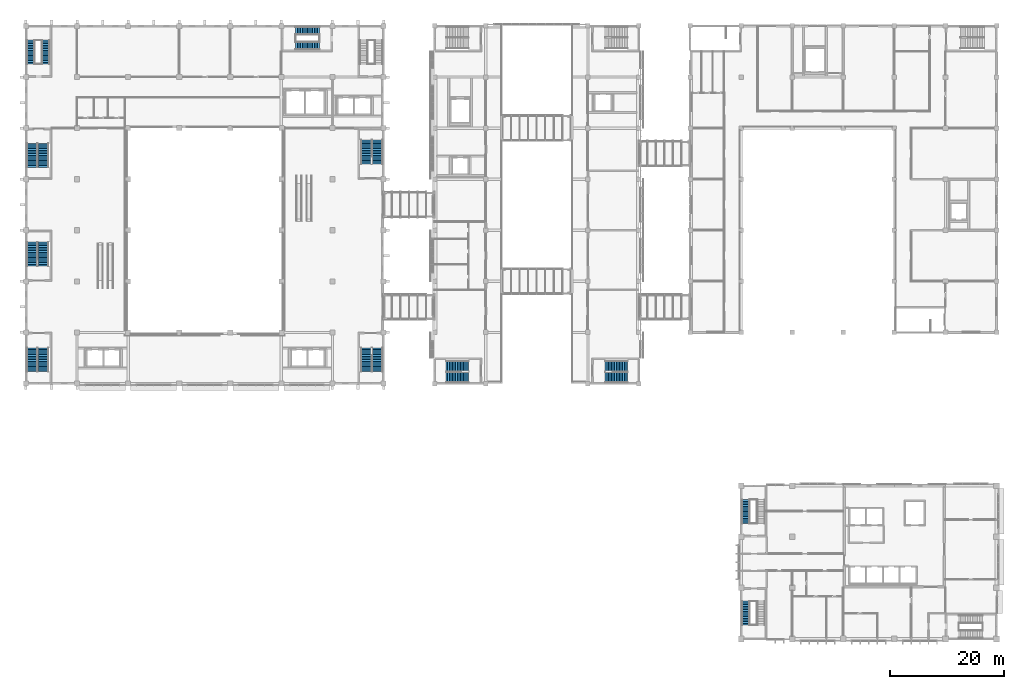
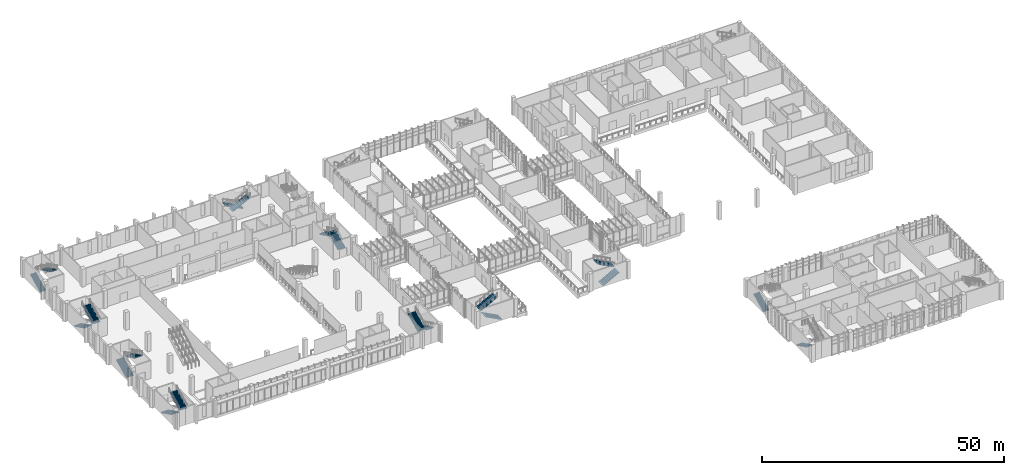
# One storey, part 69 of 88: 20 stair flights, 11 elements without a shape of their own.
"""IFC4 building model written with IfcOpenShell, lengths in metres."""

from ifc_helpers import new_model, si_unit, direction, frame, origin, place, context, subcontext, project, spatial, polyline, outline, extrude, material, type_object, element, aggregate, save


model = new_model("IFC4")

# Units and contexts
model_context = context("Model", 3, precision=1e-05, world=origin(), true_north=direction((0.0, 1.0)))
body_context = subcontext(model_context, "Body", "Model", "MODEL_VIEW")
ifc_project = project(units=[si_unit("LENGTHUNIT", "METRE"), si_unit("AREAUNIT", "SQUARE_METRE"), si_unit("VOLUMEUNIT", "CUBIC_METRE"), si_unit("PLANEANGLEUNIT", "RADIAN"), si_unit("MASSUNIT", "GRAM", prefix="KILO")], contexts=[model_context])

# Site, building, storey
site_placement = place(None, origin())
site = spatial("IfcSite", under=ifc_project, at=site_placement, CompositionType="ELEMENT")
building_placement = place(site_placement, origin())
building = spatial("IfcBuilding", under=site, at=building_placement, Name="Guidao Yard Department Store", CompositionType="ELEMENT")
storey_placement = place(building_placement, frame((0.0, 0.0, 6.0)))
storey = spatial("IfcBuildingStorey", under=building, at=storey_placement, Name="L01", CompositionType="ELEMENT", Elevation=6.0)

# Stair, stair flights
ifc_material_1 = material(Name="Concrete C35", Category="concrete")
stair_type_1 = type_object("IfcStairType", Name="Stair half-turn two-flight 1400 wide 4.5 m rise", PredefinedType="HALF_TURN_STAIR", material=ifc_material_1)
stair_1_placement = place(storey_placement, origin())
stair_1 = element("IfcStair", 1, at=stair_1_placement, inside=storey, type_object=stair_type_1, Name="Stair A5 L01 to L02", PredefinedType="HALF_TURN_STAIR")
ifc_material_2 = material(Name="Concrete C35", Category="concrete")
stair_flight_type_1 = type_object("IfcStairFlightType", Name="Stair flight RC straight 1400 wide 15 risers x 300 going C35", PredefinedType="STRAIGHT", material=ifc_material_2)
stair_flight_1_placement = place(storey_placement, frame((0.824951171875, 101.300048828125, 0.0), z_axis=(0.0, 0.0, 1.0), x_axis=(0.0, 1.0, 0.0)))
stair_flight_1 = element("IfcStairFlight", 2, at=stair_flight_1_placement, type_object=stair_flight_type_1, Name="SA5-L01 flight 1", NumberOfRisers=15, NumberOfTreads=14, PredefinedType="STRAIGHT", RiserHeight=0.15, TreadLength=0.3, context=body_context, shape_type="SweptSolid", body=[
    extrude(outline(polyline([(0.0, 0.0), (0.0, 0.14990234375), (0.300048828125, 0.14990234375), (0.300048828125, 0.300048828125), (0.60009765625, 0.300048828125), (0.60009765625, 0.449951171875), (0.89990234375, 0.449951171875), (0.89990234375, 0.60009765625), (1.199951171875, 0.60009765625), (1.199951171875, 0.75), (1.5, 0.75), (1.5, 0.89990234375), (1.800048828125, 0.89990234375), (1.800048828125, 1.050048828125), (2.10009765625, 1.050048828125), (2.10009765625, 1.199951171875), (2.39990234375, 1.199951171875), (2.39990234375, 1.35009765625), (2.699951171875, 1.35009765625), (2.699951171875, 1.5), (3.0, 1.5), (3.0, 1.64990234375), (3.300048828125, 1.64990234375), (3.300048828125, 1.800048828125), (3.60009765625, 1.800048828125), (3.60009765625, 1.949951171875), (3.89990234375, 1.949951171875), (3.89990234375, 2.10009765625), (4.199951171875, 2.10009765625), (4.199951171875, 2.25), (4.199951171875, 1.932373046875), (0.335205078125, 0.0), (0.0, 0.0)])), frame((0.0, 0.699951171875, 0.0), z_axis=(0.0, -1.0, 0.0), x_axis=(1.0, 0.0, 0.0)), (0.0, 0.0, 1.0), 1.39990234375),
])
stair_flight_2_placement = place(storey_placement, frame((3.5, 105.5, 2.25), z_axis=(0.0, 0.0, 1.0), x_axis=(0.0, -1.0, 0.0)))
stair_flight_2 = element("IfcStairFlight", 3, at=stair_flight_2_placement, type_object=stair_flight_type_1, Name="SA5-L01 flight 2", NumberOfRisers=15, NumberOfTreads=14, PredefinedType="STRAIGHT", RiserHeight=0.15, TreadLength=0.3, context=body_context, shape_type="SweptSolid", body=[
    extrude(outline(polyline([(0.0, 0.0), (0.0, 0.14990234375), (0.300048828125, 0.14990234375), (0.300048828125, 0.300048828125), (0.60009765625, 0.300048828125), (0.60009765625, 0.449951171875), (0.89990234375, 0.449951171875), (0.89990234375, 0.60009765625), (1.199951171875, 0.60009765625), (1.199951171875, 0.75), (1.5, 0.75), (1.5, 0.89990234375), (1.800048828125, 0.89990234375), (1.800048828125, 1.050048828125), (2.10009765625, 1.050048828125), (2.10009765625, 1.199951171875), (2.39990234375, 1.199951171875), (2.39990234375, 1.35009765625), (2.699951171875, 1.35009765625), (2.699951171875, 1.5), (3.0, 1.5), (3.0, 1.64990234375), (3.300048828125, 1.64990234375), (3.300048828125, 1.800048828125), (3.60009765625, 1.800048828125), (3.60009765625, 1.949951171875), (3.89990234375, 1.949951171875), (3.89990234375, 2.10009765625), (4.199951171875, 2.10009765625), (4.199951171875, 2.25), (4.199951171875, 1.932373046875), (0.335205078125, 0.0), (0.0, 0.0)])), frame((0.0, 0.699951171875, 0.0), z_axis=(0.0, -1.0, 0.0), x_axis=(1.0, 0.0, 0.0)), (0.0, 0.0, 1.0), 1.39990234375),
])
aggregate(stair_1, [stair_flight_1, stair_flight_2])

stair_2_placement = place(storey_placement, origin())
stair_2 = element("IfcStair", 4, at=stair_2_placement, inside=storey, type_object=stair_type_1, Name="Stair A7 L01 to L02", PredefinedType="HALF_TURN_STAIR")
stair_flight_3_placement = place(storey_placement, frame((51.699951171875, 107.175048828125, 0.0), z_axis=(0.0, 0.0, 1.0), x_axis=(-1.0, 0.0, 0.0)))
stair_flight_3 = element("IfcStairFlight", 5, at=stair_flight_3_placement, type_object=stair_flight_type_1, Name="SA7-L01 flight 1", NumberOfRisers=15, NumberOfTreads=14, PredefinedType="STRAIGHT", RiserHeight=0.15, TreadLength=0.3, context=body_context, shape_type="SweptSolid", body=[
    extrude(outline(polyline([(0.0, 0.0), (0.0, 0.14990234375), (0.300048828125, 0.14990234375), (0.300048828125, 0.300048828125), (0.60009765625, 0.300048828125), (0.60009765625, 0.449951171875), (0.89990234375, 0.449951171875), (0.89990234375, 0.60009765625), (1.199951171875, 0.60009765625), (1.199951171875, 0.75), (1.5, 0.75), (1.5, 0.89990234375), (1.800048828125, 0.89990234375), (1.800048828125, 1.050048828125), (2.10009765625, 1.050048828125), (2.10009765625, 1.199951171875), (2.39990234375, 1.199951171875), (2.39990234375, 1.35009765625), (2.699951171875, 1.35009765625), (2.699951171875, 1.5), (3.0, 1.5), (3.0, 1.64990234375), (3.300048828125, 1.64990234375), (3.300048828125, 1.800048828125), (3.60009765625, 1.800048828125), (3.60009765625, 1.949951171875), (3.89990234375, 1.949951171875), (3.89990234375, 2.10009765625), (4.199951171875, 2.10009765625), (4.199951171875, 2.25), (4.199951171875, 1.932373046875), (0.335205078125, 0.0), (0.0, 0.0)])), frame((0.0, 0.699951171875, 0.0), z_axis=(0.0, -1.0, 0.0), x_axis=(1.0, 0.0, 0.0)), (0.0, 0.0, 1.0), 1.39990234375),
])
stair_flight_4_placement = place(storey_placement, frame((47.5, 104.5, 2.25), z_axis=(0.0, 0.0, 1.0), x_axis=(1.0, 0.0, 0.0)))
stair_flight_4 = element("IfcStairFlight", 6, at=stair_flight_4_placement, type_object=stair_flight_type_1, Name="SA7-L01 flight 2", NumberOfRisers=15, NumberOfTreads=14, PredefinedType="STRAIGHT", RiserHeight=0.15, TreadLength=0.3, context=body_context, shape_type="SweptSolid", body=[
    extrude(outline(polyline([(0.0, 0.0), (0.0, 0.14990234375), (0.300048828125, 0.14990234375), (0.300048828125, 0.300048828125), (0.60009765625, 0.300048828125), (0.60009765625, 0.449951171875), (0.89990234375, 0.449951171875), (0.89990234375, 0.60009765625), (1.199951171875, 0.60009765625), (1.199951171875, 0.75), (1.5, 0.75), (1.5, 0.89990234375), (1.800048828125, 0.89990234375), (1.800048828125, 1.050048828125), (2.10009765625, 1.050048828125), (2.10009765625, 1.199951171875), (2.39990234375, 1.199951171875), (2.39990234375, 1.35009765625), (2.699951171875, 1.35009765625), (2.699951171875, 1.5), (3.0, 1.5), (3.0, 1.64990234375), (3.300048828125, 1.64990234375), (3.300048828125, 1.800048828125), (3.60009765625, 1.800048828125), (3.60009765625, 1.949951171875), (3.89990234375, 1.949951171875), (3.89990234375, 2.10009765625), (4.199951171875, 2.10009765625), (4.199951171875, 2.25), (4.199951171875, 1.932373046875), (0.335205078125, 0.0), (0.0, 0.0)])), frame((0.0, 0.699951171875, 0.0), z_axis=(0.0, -1.0, 0.0), x_axis=(1.0, 0.0, 0.0)), (0.0, 0.0, 1.0), 1.39990234375),
])
aggregate(stair_2, [stair_flight_3, stair_flight_4])

# Stair, stair flight
stair_3_placement = place(storey_placement, origin())
stair_3 = element("IfcStair", 7, at=stair_3_placement, inside=storey, type_object=stair_type_1, Name="Stair O1 L01 to L02", PredefinedType="HALF_TURN_STAIR")
stair_flight_5_placement = place(storey_placement, frame((126.824951171875, 6.64990234375, 0.0), z_axis=(0.0, 0.0, 1.0), x_axis=(0.0, -1.0, 0.0)))
stair_flight_5 = element("IfcStairFlight", 8, at=stair_flight_5_placement, type_object=stair_flight_type_1, Name="SO1-L01 flight 1", NumberOfRisers=15, NumberOfTreads=14, PredefinedType="STRAIGHT", RiserHeight=0.15, TreadLength=0.3, context=body_context, shape_type="SweptSolid", body=[
    extrude(outline(polyline([(0.0, 0.0), (0.0, 0.14990234375), (0.300048828125, 0.14990234375), (0.300048828125, 0.300048828125), (0.60009765625, 0.300048828125), (0.60009765625, 0.449951171875), (0.89990234375, 0.449951171875), (0.89990234375, 0.60009765625), (1.199951171875, 0.60009765625), (1.199951171875, 0.75), (1.5, 0.75), (1.5, 0.89990234375), (1.800048828125, 0.89990234375), (1.800048828125, 1.050048828125), (2.10009765625, 1.050048828125), (2.10009765625, 1.199951171875), (2.39990234375, 1.199951171875), (2.39990234375, 1.35009765625), (2.699951171875, 1.35009765625), (2.699951171875, 1.5), (3.0, 1.5), (3.0, 1.64990234375), (3.300048828125, 1.64990234375), (3.300048828125, 1.800048828125), (3.60009765625, 1.800048828125), (3.60009765625, 1.949951171875), (3.89990234375, 1.949951171875), (3.89990234375, 2.10009765625), (4.199951171875, 2.10009765625), (4.199951171875, 2.25), (4.199951171875, 1.932373046875), (0.335205078125, 0.0), (0.0, 0.0)])), frame((0.0, 0.699951171875, 0.0), z_axis=(0.0, -1.0, 0.0), x_axis=(1.0, 0.0, 0.0)), (0.0, 0.0, 1.0), 1.39990234375),
])
aggregate(stair_3, [stair_flight_5])

stair_4_placement = place(storey_placement, origin())
stair_4 = element("IfcStair", 9, at=stair_4_placement, inside=storey, type_object=stair_type_1, Name="Stair O3 L01 to L02", PredefinedType="HALF_TURN_STAIR")
stair_flight_6_placement = place(storey_placement, frame((126.824951171875, 20.35009765625, 0.0), z_axis=(0.0, 0.0, 1.0), x_axis=(0.0, 1.0, 0.0)))
stair_flight_6 = element("IfcStairFlight", 10, at=stair_flight_6_placement, type_object=stair_flight_type_1, Name="SO3-L01 flight 1", NumberOfRisers=15, NumberOfTreads=14, PredefinedType="STRAIGHT", RiserHeight=0.15, TreadLength=0.3, context=body_context, shape_type="SweptSolid", body=[
    extrude(outline(polyline([(0.0, 0.0), (0.0, 0.14990234375), (0.300048828125, 0.14990234375), (0.300048828125, 0.300048828125), (0.60009765625, 0.300048828125), (0.60009765625, 0.449951171875), (0.89990234375, 0.449951171875), (0.89990234375, 0.60009765625), (1.199951171875, 0.60009765625), (1.199951171875, 0.75), (1.5, 0.75), (1.5, 0.89990234375), (1.800048828125, 0.89990234375), (1.800048828125, 1.050048828125), (2.10009765625, 1.050048828125), (2.10009765625, 1.199951171875), (2.39990234375, 1.199951171875), (2.39990234375, 1.35009765625), (2.699951171875, 1.35009765625), (2.699951171875, 1.5), (3.0, 1.5), (3.0, 1.64990234375), (3.300048828125, 1.64990234375), (3.300048828125, 1.800048828125), (3.60009765625, 1.800048828125), (3.60009765625, 1.949951171875), (3.89990234375, 1.949951171875), (3.89990234375, 2.10009765625), (4.199951171875, 2.10009765625), (4.199951171875, 2.25), (4.199951171875, 1.932373046875), (0.335205078125, 0.0), (0.0, 0.0)])), frame((0.0, 0.699951171875, 0.0), z_axis=(0.0, -1.0, 0.0), x_axis=(1.0, 0.0, 0.0)), (0.0, 0.0, 1.0), 1.39990234375),
])
aggregate(stair_4, [stair_flight_6])

# Stair, stair flights
ifc_material_3 = material(Name="Concrete C35", Category="concrete")
stair_type_2 = type_object("IfcStairType", Name="Stair half-turn two-flight 1800 wide 4.5 m rise", PredefinedType="HALF_TURN_STAIR", material=ifc_material_3)
stair_5_placement = place(storey_placement, origin())
stair_5 = element("IfcStair", 11, at=stair_5_placement, inside=storey, type_object=stair_type_2, Name="Stair G1 L01 to L02", PredefinedType="HALF_TURN_STAIR")
ifc_material_4 = material(Name="Concrete C35", Category="concrete")
stair_flight_type_2 = type_object("IfcStairFlightType", Name="Stair flight RC straight 1800 wide 15 risers x 280 going C35", PredefinedType="STRAIGHT", material=ifc_material_4)
stair_flight_7_placement = place(storey_placement, frame((77.949951171875, 46.02490234375, 0.0), z_axis=(0.0, 0.0, 1.0), x_axis=(-1.0, 0.0, 0.0)))
stair_flight_7 = element("IfcStairFlight", 12, at=stair_flight_7_placement, type_object=stair_flight_type_2, Name="SG1-L01 flight 1", NumberOfRisers=15, NumberOfTreads=14, PredefinedType="STRAIGHT", RiserHeight=0.15, TreadLength=0.28, context=body_context, shape_type="SweptSolid", body=[
    extrude(outline(polyline([(0.0, 0.0), (0.0, 0.14990234375), (0.280029296875, 0.14990234375), (0.280029296875, 0.300048828125), (0.56005859375, 0.300048828125), (0.56005859375, 0.449951171875), (0.840087890625, 0.449951171875), (0.840087890625, 0.60009765625), (1.1201171875, 0.60009765625), (1.1201171875, 0.75), (1.39990234375, 0.75), (1.39990234375, 0.89990234375), (1.679931640625, 0.89990234375), (1.679931640625, 1.050048828125), (1.9599609375, 1.050048828125), (1.9599609375, 1.199951171875), (2.239990234375, 1.199951171875), (2.239990234375, 1.35009765625), (2.52001953125, 1.35009765625), (2.52001953125, 1.5), (2.800048828125, 1.5), (2.800048828125, 1.64990234375), (3.080078125, 1.64990234375), (3.080078125, 1.800048828125), (3.360107421875, 1.800048828125), (3.360107421875, 1.949951171875), (3.639892578125, 1.949951171875), (3.639892578125, 2.10009765625), (3.919921875, 2.10009765625), (3.919921875, 2.25), (3.919921875, 1.929931640625), (0.3173828125, 0.0), (0.0, 0.0)])), frame((0.0, 0.89990234375, 0.0), z_axis=(0.0, -1.0, 0.0), x_axis=(1.0, 0.0, 0.0)), (0.0, 0.0, 1.0), 1.800048828125),
])
stair_flight_8_placement = place(storey_placement, frame((74.030029296875, 48.074951171875, 2.25), z_axis=(0.0, 0.0, 1.0), x_axis=(1.0, 0.0, 0.0)))
stair_flight_8 = element("IfcStairFlight", 13, at=stair_flight_8_placement, type_object=stair_flight_type_2, Name="SG1-L01 flight 2", NumberOfRisers=15, NumberOfTreads=14, PredefinedType="STRAIGHT", RiserHeight=0.15, TreadLength=0.28, context=body_context, shape_type="SweptSolid", body=[
    extrude(outline(polyline([(0.0, 0.0), (0.0, 0.14990234375), (0.280029296875, 0.14990234375), (0.280029296875, 0.300048828125), (0.56005859375, 0.300048828125), (0.56005859375, 0.449951171875), (0.840087890625, 0.449951171875), (0.840087890625, 0.60009765625), (1.1201171875, 0.60009765625), (1.1201171875, 0.75), (1.39990234375, 0.75), (1.39990234375, 0.89990234375), (1.679931640625, 0.89990234375), (1.679931640625, 1.050048828125), (1.9599609375, 1.050048828125), (1.9599609375, 1.199951171875), (2.239990234375, 1.199951171875), (2.239990234375, 1.35009765625), (2.52001953125, 1.35009765625), (2.52001953125, 1.5), (2.800048828125, 1.5), (2.800048828125, 1.64990234375), (3.080078125, 1.64990234375), (3.080078125, 1.800048828125), (3.360107421875, 1.800048828125), (3.360107421875, 1.949951171875), (3.639892578125, 1.949951171875), (3.639892578125, 2.10009765625), (3.919921875, 2.10009765625), (3.919921875, 2.25), (3.919921875, 1.929931640625), (0.3173828125, 0.0), (0.0, 0.0)])), frame((0.0, 0.89990234375, 0.0), z_axis=(0.0, -1.0, 0.0), x_axis=(1.0, 0.0, 0.0)), (0.0, 0.0, 1.0), 1.800048828125),
])
aggregate(stair_5, [stair_flight_7, stair_flight_8])

stair_6_placement = place(storey_placement, origin())
stair_6 = element("IfcStair", 14, at=stair_6_placement, inside=storey, type_object=stair_type_2, Name="Stair G3 L01 to L02", PredefinedType="HALF_TURN_STAIR")
stair_flight_9_placement = place(storey_placement, frame((102.050048828125, 46.02490234375, 0.0), z_axis=(0.0, 0.0, 1.0), x_axis=(1.0, 0.0, 0.0)))
stair_flight_9 = element("IfcStairFlight", 15, at=stair_flight_9_placement, type_object=stair_flight_type_2, Name="SG3-L01 flight 1", NumberOfRisers=15, NumberOfTreads=14, PredefinedType="STRAIGHT", RiserHeight=0.15, TreadLength=0.28, context=body_context, shape_type="SweptSolid", body=[
    extrude(outline(polyline([(0.0, 0.0), (0.0, 0.14990234375), (0.280029296875, 0.14990234375), (0.280029296875, 0.300048828125), (0.56005859375, 0.300048828125), (0.56005859375, 0.449951171875), (0.840087890625, 0.449951171875), (0.840087890625, 0.60009765625), (1.1201171875, 0.60009765625), (1.1201171875, 0.75), (1.39990234375, 0.75), (1.39990234375, 0.89990234375), (1.679931640625, 0.89990234375), (1.679931640625, 1.050048828125), (1.9599609375, 1.050048828125), (1.9599609375, 1.199951171875), (2.239990234375, 1.199951171875), (2.239990234375, 1.35009765625), (2.52001953125, 1.35009765625), (2.52001953125, 1.5), (2.800048828125, 1.5), (2.800048828125, 1.64990234375), (3.080078125, 1.64990234375), (3.080078125, 1.800048828125), (3.360107421875, 1.800048828125), (3.360107421875, 1.949951171875), (3.639892578125, 1.949951171875), (3.639892578125, 2.10009765625), (3.919921875, 2.10009765625), (3.919921875, 2.25), (3.919921875, 1.929931640625), (0.3173828125, 0.0), (0.0, 0.0)])), frame((0.0, 0.89990234375, 0.0), z_axis=(0.0, -1.0, 0.0), x_axis=(1.0, 0.0, 0.0)), (0.0, 0.0, 1.0), 1.800048828125),
])
stair_flight_10_placement = place(storey_placement, frame((105.969970703125, 48.074951171875, 2.25), z_axis=(0.0, 0.0, 1.0), x_axis=(-1.0, 0.0, 0.0)))
stair_flight_10 = element("IfcStairFlight", 16, at=stair_flight_10_placement, type_object=stair_flight_type_2, Name="SG3-L01 flight 2", NumberOfRisers=15, NumberOfTreads=14, PredefinedType="STRAIGHT", RiserHeight=0.15, TreadLength=0.28, context=body_context, shape_type="SweptSolid", body=[
    extrude(outline(polyline([(0.0, 0.0), (0.0, 0.14990234375), (0.280029296875, 0.14990234375), (0.280029296875, 0.300048828125), (0.56005859375, 0.300048828125), (0.56005859375, 0.449951171875), (0.840087890625, 0.449951171875), (0.840087890625, 0.60009765625), (1.1201171875, 0.60009765625), (1.1201171875, 0.75), (1.39990234375, 0.75), (1.39990234375, 0.89990234375), (1.679931640625, 0.89990234375), (1.679931640625, 1.050048828125), (1.9599609375, 1.050048828125), (1.9599609375, 1.199951171875), (2.239990234375, 1.199951171875), (2.239990234375, 1.35009765625), (2.52001953125, 1.35009765625), (2.52001953125, 1.5), (2.800048828125, 1.5), (2.800048828125, 1.64990234375), (3.080078125, 1.64990234375), (3.080078125, 1.800048828125), (3.360107421875, 1.800048828125), (3.360107421875, 1.949951171875), (3.639892578125, 1.949951171875), (3.639892578125, 2.10009765625), (3.919921875, 2.10009765625), (3.919921875, 2.25), (3.919921875, 1.929931640625), (0.3173828125, 0.0), (0.0, 0.0)])), frame((0.0, 0.89990234375, 0.0), z_axis=(0.0, -1.0, 0.0), x_axis=(1.0, 0.0, 0.0)), (0.0, 0.0, 1.0), 1.800048828125),
])
aggregate(stair_6, [stair_flight_9, stair_flight_10])

stair_7_placement = place(storey_placement, origin())
stair_7 = element("IfcStair", 17, at=stair_7_placement, inside=storey, type_object=stair_type_2, Name="Stair A1 L01 to L02", PredefinedType="HALF_TURN_STAIR")
ifc_material_5 = material(Name="Concrete C35", Category="concrete")
stair_flight_type_3 = type_object("IfcStairFlightType", Name="Stair flight RC straight 1800 wide 15 risers x 300 going C35", PredefinedType="STRAIGHT", material=ifc_material_5)
stair_flight_11_placement = place(storey_placement, frame((1.02490234375, 65.699951171875, 0.0), z_axis=(0.0, 0.0, 1.0), x_axis=(0.0, 1.0, 0.0)))
stair_flight_11 = element("IfcStairFlight", 18, at=stair_flight_11_placement, type_object=stair_flight_type_3, Name="SA1-L01 flight 1", NumberOfRisers=15, NumberOfTreads=14, PredefinedType="STRAIGHT", RiserHeight=0.15, TreadLength=0.3, context=body_context, shape_type="SweptSolid", body=[
    extrude(outline(polyline([(0.0, 0.0), (0.0, 0.14990234375), (0.300048828125, 0.14990234375), (0.300048828125, 0.300048828125), (0.60009765625, 0.300048828125), (0.60009765625, 0.449951171875), (0.89990234375, 0.449951171875), (0.89990234375, 0.60009765625), (1.199951171875, 0.60009765625), (1.199951171875, 0.75), (1.5, 0.75), (1.5, 0.89990234375), (1.800048828125, 0.89990234375), (1.800048828125, 1.050048828125), (2.10009765625, 1.050048828125), (2.10009765625, 1.199951171875), (2.39990234375, 1.199951171875), (2.39990234375, 1.35009765625), (2.699951171875, 1.35009765625), (2.699951171875, 1.5), (3.0, 1.5), (3.0, 1.64990234375), (3.300048828125, 1.64990234375), (3.300048828125, 1.800048828125), (3.60009765625, 1.800048828125), (3.60009765625, 1.949951171875), (3.89990234375, 1.949951171875), (3.89990234375, 2.10009765625), (4.199951171875, 2.10009765625), (4.199951171875, 2.25), (4.199951171875, 1.932373046875), (0.335205078125, 0.0), (0.0, 0.0)])), frame((0.0, 0.89990234375, 0.0), z_axis=(0.0, -1.0, 0.0), x_axis=(1.0, 0.0, 0.0)), (0.0, 0.0, 1.0), 1.800048828125),
])
stair_flight_12_placement = place(storey_placement, frame((3.074951171875, 69.89990234375, 2.25), z_axis=(0.0, 0.0, 1.0), x_axis=(0.0, -1.0, 0.0)))
stair_flight_12 = element("IfcStairFlight", 19, at=stair_flight_12_placement, type_object=stair_flight_type_3, Name="SA1-L01 flight 2", NumberOfRisers=15, NumberOfTreads=14, PredefinedType="STRAIGHT", RiserHeight=0.15, TreadLength=0.3, context=body_context, shape_type="SweptSolid", body=[
    extrude(outline(polyline([(0.0, 0.0), (0.0, 0.14990234375), (0.300048828125, 0.14990234375), (0.300048828125, 0.300048828125), (0.60009765625, 0.300048828125), (0.60009765625, 0.449951171875), (0.89990234375, 0.449951171875), (0.89990234375, 0.60009765625), (1.199951171875, 0.60009765625), (1.199951171875, 0.75), (1.5, 0.75), (1.5, 0.89990234375), (1.800048828125, 0.89990234375), (1.800048828125, 1.050048828125), (2.10009765625, 1.050048828125), (2.10009765625, 1.199951171875), (2.39990234375, 1.199951171875), (2.39990234375, 1.35009765625), (2.699951171875, 1.35009765625), (2.699951171875, 1.5), (3.0, 1.5), (3.0, 1.64990234375), (3.300048828125, 1.64990234375), (3.300048828125, 1.800048828125), (3.60009765625, 1.800048828125), (3.60009765625, 1.949951171875), (3.89990234375, 1.949951171875), (3.89990234375, 2.10009765625), (4.199951171875, 2.10009765625), (4.199951171875, 2.25), (4.199951171875, 1.932373046875), (0.335205078125, 0.0), (0.0, 0.0)])), frame((0.0, 0.89990234375, 0.0), z_axis=(0.0, -1.0, 0.0), x_axis=(1.0, 0.0, 0.0)), (0.0, 0.0, 1.0), 1.800048828125),
])
aggregate(stair_7, [stair_flight_11, stair_flight_12])

stair_8_placement = place(storey_placement, origin())
stair_8 = element("IfcStair", 20, at=stair_8_placement, inside=storey, type_object=stair_type_2, Name="Stair A2 L01 to L02", PredefinedType="HALF_TURN_STAIR")
stair_flight_13_placement = place(storey_placement, frame((61.97509765625, 51.300048828125, 0.0), z_axis=(0.0, 0.0, 1.0), x_axis=(0.0, -1.0, 0.0)))
stair_flight_13 = element("IfcStairFlight", 21, at=stair_flight_13_placement, type_object=stair_flight_type_3, Name="SA2-L01 flight 1", NumberOfRisers=15, NumberOfTreads=14, PredefinedType="STRAIGHT", RiserHeight=0.15, TreadLength=0.3, context=body_context, shape_type="SweptSolid", body=[
    extrude(outline(polyline([(0.0, 0.0), (0.0, 0.14990234375), (0.300048828125, 0.14990234375), (0.300048828125, 0.300048828125), (0.60009765625, 0.300048828125), (0.60009765625, 0.449951171875), (0.89990234375, 0.449951171875), (0.89990234375, 0.60009765625), (1.199951171875, 0.60009765625), (1.199951171875, 0.75), (1.5, 0.75), (1.5, 0.89990234375), (1.800048828125, 0.89990234375), (1.800048828125, 1.050048828125), (2.10009765625, 1.050048828125), (2.10009765625, 1.199951171875), (2.39990234375, 1.199951171875), (2.39990234375, 1.35009765625), (2.699951171875, 1.35009765625), (2.699951171875, 1.5), (3.0, 1.5), (3.0, 1.64990234375), (3.300048828125, 1.64990234375), (3.300048828125, 1.800048828125), (3.60009765625, 1.800048828125), (3.60009765625, 1.949951171875), (3.89990234375, 1.949951171875), (3.89990234375, 2.10009765625), (4.199951171875, 2.10009765625), (4.199951171875, 2.25), (4.199951171875, 1.932373046875), (0.335205078125, 0.0), (0.0, 0.0)])), frame((0.0, 0.89990234375, 0.0), z_axis=(0.0, -1.0, 0.0), x_axis=(1.0, 0.0, 0.0)), (0.0, 0.0, 1.0), 1.800048828125),
])
stair_flight_14_placement = place(storey_placement, frame((59.925048828125, 47.10009765625, 2.25), z_axis=(0.0, 0.0, 1.0), x_axis=(0.0, 1.0, 0.0)))
stair_flight_14 = element("IfcStairFlight", 22, at=stair_flight_14_placement, type_object=stair_flight_type_3, Name="SA2-L01 flight 2", NumberOfRisers=15, NumberOfTreads=14, PredefinedType="STRAIGHT", RiserHeight=0.15, TreadLength=0.3, context=body_context, shape_type="SweptSolid", body=[
    extrude(outline(polyline([(0.0, 0.0), (0.0, 0.14990234375), (0.300048828125, 0.14990234375), (0.300048828125, 0.300048828125), (0.60009765625, 0.300048828125), (0.60009765625, 0.449951171875), (0.89990234375, 0.449951171875), (0.89990234375, 0.60009765625), (1.199951171875, 0.60009765625), (1.199951171875, 0.75), (1.5, 0.75), (1.5, 0.89990234375), (1.800048828125, 0.89990234375), (1.800048828125, 1.050048828125), (2.10009765625, 1.050048828125), (2.10009765625, 1.199951171875), (2.39990234375, 1.199951171875), (2.39990234375, 1.35009765625), (2.699951171875, 1.35009765625), (2.699951171875, 1.5), (3.0, 1.5), (3.0, 1.64990234375), (3.300048828125, 1.64990234375), (3.300048828125, 1.800048828125), (3.60009765625, 1.800048828125), (3.60009765625, 1.949951171875), (3.89990234375, 1.949951171875), (3.89990234375, 2.10009765625), (4.199951171875, 2.10009765625), (4.199951171875, 2.25), (4.199951171875, 1.932373046875), (0.335205078125, 0.0), (0.0, 0.0)])), frame((0.0, 0.89990234375, 0.0), z_axis=(0.0, -1.0, 0.0), x_axis=(1.0, 0.0, 0.0)), (0.0, 0.0, 1.0), 1.800048828125),
])
aggregate(stair_8, [stair_flight_13, stair_flight_14])

stair_9_placement = place(storey_placement, origin())
stair_9 = element("IfcStair", 23, at=stair_9_placement, inside=storey, type_object=stair_type_2, Name="Stair A3 L01 to L02", PredefinedType="HALF_TURN_STAIR")
stair_flight_15_placement = place(storey_placement, frame((1.02490234375, 87.300048828125, 0.0), z_axis=(0.0, 0.0, 1.0), x_axis=(0.0, -1.0, 0.0)))
stair_flight_15 = element("IfcStairFlight", 24, at=stair_flight_15_placement, type_object=stair_flight_type_3, Name="SA3-L01 flight 1", NumberOfRisers=15, NumberOfTreads=14, PredefinedType="STRAIGHT", RiserHeight=0.15, TreadLength=0.3, context=body_context, shape_type="SweptSolid", body=[
    extrude(outline(polyline([(0.0, 0.0), (0.0, 0.14990234375), (0.300048828125, 0.14990234375), (0.300048828125, 0.300048828125), (0.60009765625, 0.300048828125), (0.60009765625, 0.449951171875), (0.89990234375, 0.449951171875), (0.89990234375, 0.60009765625), (1.199951171875, 0.60009765625), (1.199951171875, 0.75), (1.5, 0.75), (1.5, 0.89990234375), (1.800048828125, 0.89990234375), (1.800048828125, 1.050048828125), (2.10009765625, 1.050048828125), (2.10009765625, 1.199951171875), (2.39990234375, 1.199951171875), (2.39990234375, 1.35009765625), (2.699951171875, 1.35009765625), (2.699951171875, 1.5), (3.0, 1.5), (3.0, 1.64990234375), (3.300048828125, 1.64990234375), (3.300048828125, 1.800048828125), (3.60009765625, 1.800048828125), (3.60009765625, 1.949951171875), (3.89990234375, 1.949951171875), (3.89990234375, 2.10009765625), (4.199951171875, 2.10009765625), (4.199951171875, 2.25), (4.199951171875, 1.932373046875), (0.335205078125, 0.0), (0.0, 0.0)])), frame((0.0, 0.89990234375, 0.0), z_axis=(0.0, -1.0, 0.0), x_axis=(1.0, 0.0, 0.0)), (0.0, 0.0, 1.0), 1.800048828125),
])
stair_flight_16_placement = place(storey_placement, frame((3.074951171875, 83.10009765625, 2.25), z_axis=(0.0, 0.0, 1.0), x_axis=(0.0, 1.0, 0.0)))
stair_flight_16 = element("IfcStairFlight", 25, at=stair_flight_16_placement, type_object=stair_flight_type_3, Name="SA3-L01 flight 2", NumberOfRisers=15, NumberOfTreads=14, PredefinedType="STRAIGHT", RiserHeight=0.15, TreadLength=0.3, context=body_context, shape_type="SweptSolid", body=[
    extrude(outline(polyline([(0.0, 0.0), (0.0, 0.14990234375), (0.300048828125, 0.14990234375), (0.300048828125, 0.300048828125), (0.60009765625, 0.300048828125), (0.60009765625, 0.449951171875), (0.89990234375, 0.449951171875), (0.89990234375, 0.60009765625), (1.199951171875, 0.60009765625), (1.199951171875, 0.75), (1.5, 0.75), (1.5, 0.89990234375), (1.800048828125, 0.89990234375), (1.800048828125, 1.050048828125), (2.10009765625, 1.050048828125), (2.10009765625, 1.199951171875), (2.39990234375, 1.199951171875), (2.39990234375, 1.35009765625), (2.699951171875, 1.35009765625), (2.699951171875, 1.5), (3.0, 1.5), (3.0, 1.64990234375), (3.300048828125, 1.64990234375), (3.300048828125, 1.800048828125), (3.60009765625, 1.800048828125), (3.60009765625, 1.949951171875), (3.89990234375, 1.949951171875), (3.89990234375, 2.10009765625), (4.199951171875, 2.10009765625), (4.199951171875, 2.25), (4.199951171875, 1.932373046875), (0.335205078125, 0.0), (0.0, 0.0)])), frame((0.0, 0.89990234375, 0.0), z_axis=(0.0, -1.0, 0.0), x_axis=(1.0, 0.0, 0.0)), (0.0, 0.0, 1.0), 1.800048828125),
])
aggregate(stair_9, [stair_flight_15, stair_flight_16])

stair_10_placement = place(storey_placement, origin())
stair_10 = element("IfcStair", 26, at=stair_10_placement, inside=storey, type_object=stair_type_2, Name="Stair A4 L01 to L02", PredefinedType="HALF_TURN_STAIR")
stair_flight_17_placement = place(storey_placement, frame((61.97509765625, 83.699951171875, 0.0), z_axis=(0.0, 0.0, 1.0), x_axis=(0.0, 1.0, 0.0)))
stair_flight_17 = element("IfcStairFlight", 27, at=stair_flight_17_placement, type_object=stair_flight_type_3, Name="SA4-L01 flight 1", NumberOfRisers=15, NumberOfTreads=14, PredefinedType="STRAIGHT", RiserHeight=0.15, TreadLength=0.3, context=body_context, shape_type="SweptSolid", body=[
    extrude(outline(polyline([(0.0, 0.0), (0.0, 0.14990234375), (0.300048828125, 0.14990234375), (0.300048828125, 0.300048828125), (0.60009765625, 0.300048828125), (0.60009765625, 0.449951171875), (0.89990234375, 0.449951171875), (0.89990234375, 0.60009765625), (1.199951171875, 0.60009765625), (1.199951171875, 0.75), (1.5, 0.75), (1.5, 0.89990234375), (1.800048828125, 0.89990234375), (1.800048828125, 1.050048828125), (2.10009765625, 1.050048828125), (2.10009765625, 1.199951171875), (2.39990234375, 1.199951171875), (2.39990234375, 1.35009765625), (2.699951171875, 1.35009765625), (2.699951171875, 1.5), (3.0, 1.5), (3.0, 1.64990234375), (3.300048828125, 1.64990234375), (3.300048828125, 1.800048828125), (3.60009765625, 1.800048828125), (3.60009765625, 1.949951171875), (3.89990234375, 1.949951171875), (3.89990234375, 2.10009765625), (4.199951171875, 2.10009765625), (4.199951171875, 2.25), (4.199951171875, 1.932373046875), (0.335205078125, 0.0), (0.0, 0.0)])), frame((0.0, 0.89990234375, 0.0), z_axis=(0.0, -1.0, 0.0), x_axis=(1.0, 0.0, 0.0)), (0.0, 0.0, 1.0), 1.800048828125),
])
stair_flight_18_placement = place(storey_placement, frame((59.925048828125, 87.89990234375, 2.25), z_axis=(0.0, 0.0, 1.0), x_axis=(0.0, -1.0, 0.0)))
stair_flight_18 = element("IfcStairFlight", 28, at=stair_flight_18_placement, type_object=stair_flight_type_3, Name="SA4-L01 flight 2", NumberOfRisers=15, NumberOfTreads=14, PredefinedType="STRAIGHT", RiserHeight=0.15, TreadLength=0.3, context=body_context, shape_type="SweptSolid", body=[
    extrude(outline(polyline([(0.0, 0.0), (0.0, 0.14990234375), (0.300048828125, 0.14990234375), (0.300048828125, 0.300048828125), (0.60009765625, 0.300048828125), (0.60009765625, 0.449951171875), (0.89990234375, 0.449951171875), (0.89990234375, 0.60009765625), (1.199951171875, 0.60009765625), (1.199951171875, 0.75), (1.5, 0.75), (1.5, 0.89990234375), (1.800048828125, 0.89990234375), (1.800048828125, 1.050048828125), (2.10009765625, 1.050048828125), (2.10009765625, 1.199951171875), (2.39990234375, 1.199951171875), (2.39990234375, 1.35009765625), (2.699951171875, 1.35009765625), (2.699951171875, 1.5), (3.0, 1.5), (3.0, 1.64990234375), (3.300048828125, 1.64990234375), (3.300048828125, 1.800048828125), (3.60009765625, 1.800048828125), (3.60009765625, 1.949951171875), (3.89990234375, 1.949951171875), (3.89990234375, 2.10009765625), (4.199951171875, 2.10009765625), (4.199951171875, 2.25), (4.199951171875, 1.932373046875), (0.335205078125, 0.0), (0.0, 0.0)])), frame((0.0, 0.89990234375, 0.0), z_axis=(0.0, -1.0, 0.0), x_axis=(1.0, 0.0, 0.0)), (0.0, 0.0, 1.0), 1.800048828125),
])
aggregate(stair_10, [stair_flight_17, stair_flight_18])

stair_11_placement = place(storey_placement, origin())
stair_11 = element("IfcStair", 29, at=stair_11_placement, inside=storey, type_object=stair_type_2, Name="Stair A8 L01 to L02", PredefinedType="HALF_TURN_STAIR")
stair_flight_19_placement = place(storey_placement, frame((1.02490234375, 51.300048828125, 0.0), z_axis=(0.0, 0.0, 1.0), x_axis=(0.0, -1.0, 0.0)))
stair_flight_19 = element("IfcStairFlight", 30, at=stair_flight_19_placement, type_object=stair_flight_type_3, Name="SA8-L01 flight 1", NumberOfRisers=15, NumberOfTreads=14, PredefinedType="STRAIGHT", RiserHeight=0.15, TreadLength=0.3, context=body_context, shape_type="SweptSolid", body=[
    extrude(outline(polyline([(0.0, 0.0), (0.0, 0.14990234375), (0.300048828125, 0.14990234375), (0.300048828125, 0.300048828125), (0.60009765625, 0.300048828125), (0.60009765625, 0.449951171875), (0.89990234375, 0.449951171875), (0.89990234375, 0.60009765625), (1.199951171875, 0.60009765625), (1.199951171875, 0.75), (1.5, 0.75), (1.5, 0.89990234375), (1.800048828125, 0.89990234375), (1.800048828125, 1.050048828125), (2.10009765625, 1.050048828125), (2.10009765625, 1.199951171875), (2.39990234375, 1.199951171875), (2.39990234375, 1.35009765625), (2.699951171875, 1.35009765625), (2.699951171875, 1.5), (3.0, 1.5), (3.0, 1.64990234375), (3.300048828125, 1.64990234375), (3.300048828125, 1.800048828125), (3.60009765625, 1.800048828125), (3.60009765625, 1.949951171875), (3.89990234375, 1.949951171875), (3.89990234375, 2.10009765625), (4.199951171875, 2.10009765625), (4.199951171875, 2.25), (4.199951171875, 1.932373046875), (0.335205078125, 0.0), (0.0, 0.0)])), frame((0.0, 0.89990234375, 0.0), z_axis=(0.0, -1.0, 0.0), x_axis=(1.0, 0.0, 0.0)), (0.0, 0.0, 1.0), 1.800048828125),
])
stair_flight_20_placement = place(storey_placement, frame((3.074951171875, 47.10009765625, 2.25), z_axis=(0.0, 0.0, 1.0), x_axis=(0.0, 1.0, 0.0)))
stair_flight_20 = element("IfcStairFlight", 31, at=stair_flight_20_placement, type_object=stair_flight_type_3, Name="SA8-L01 flight 2", NumberOfRisers=15, NumberOfTreads=14, PredefinedType="STRAIGHT", RiserHeight=0.15, TreadLength=0.3, context=body_context, shape_type="SweptSolid", body=[
    extrude(outline(polyline([(0.0, 0.0), (0.0, 0.14990234375), (0.300048828125, 0.14990234375), (0.300048828125, 0.300048828125), (0.60009765625, 0.300048828125), (0.60009765625, 0.449951171875), (0.89990234375, 0.449951171875), (0.89990234375, 0.60009765625), (1.199951171875, 0.60009765625), (1.199951171875, 0.75), (1.5, 0.75), (1.5, 0.89990234375), (1.800048828125, 0.89990234375), (1.800048828125, 1.050048828125), (2.10009765625, 1.050048828125), (2.10009765625, 1.199951171875), (2.39990234375, 1.199951171875), (2.39990234375, 1.35009765625), (2.699951171875, 1.35009765625), (2.699951171875, 1.5), (3.0, 1.5), (3.0, 1.64990234375), (3.300048828125, 1.64990234375), (3.300048828125, 1.800048828125), (3.60009765625, 1.800048828125), (3.60009765625, 1.949951171875), (3.89990234375, 1.949951171875), (3.89990234375, 2.10009765625), (4.199951171875, 2.10009765625), (4.199951171875, 2.25), (4.199951171875, 1.932373046875), (0.335205078125, 0.0), (0.0, 0.0)])), frame((0.0, 0.89990234375, 0.0), z_axis=(0.0, -1.0, 0.0), x_axis=(1.0, 0.0, 0.0)), (0.0, 0.0, 1.0), 1.800048828125),
])
aggregate(stair_11, [stair_flight_19, stair_flight_20])

save(model, "model.ifc")
